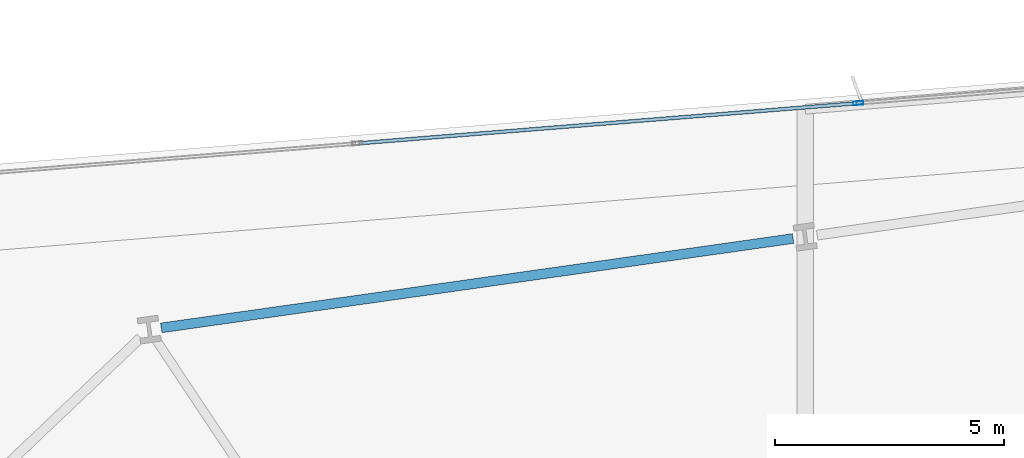
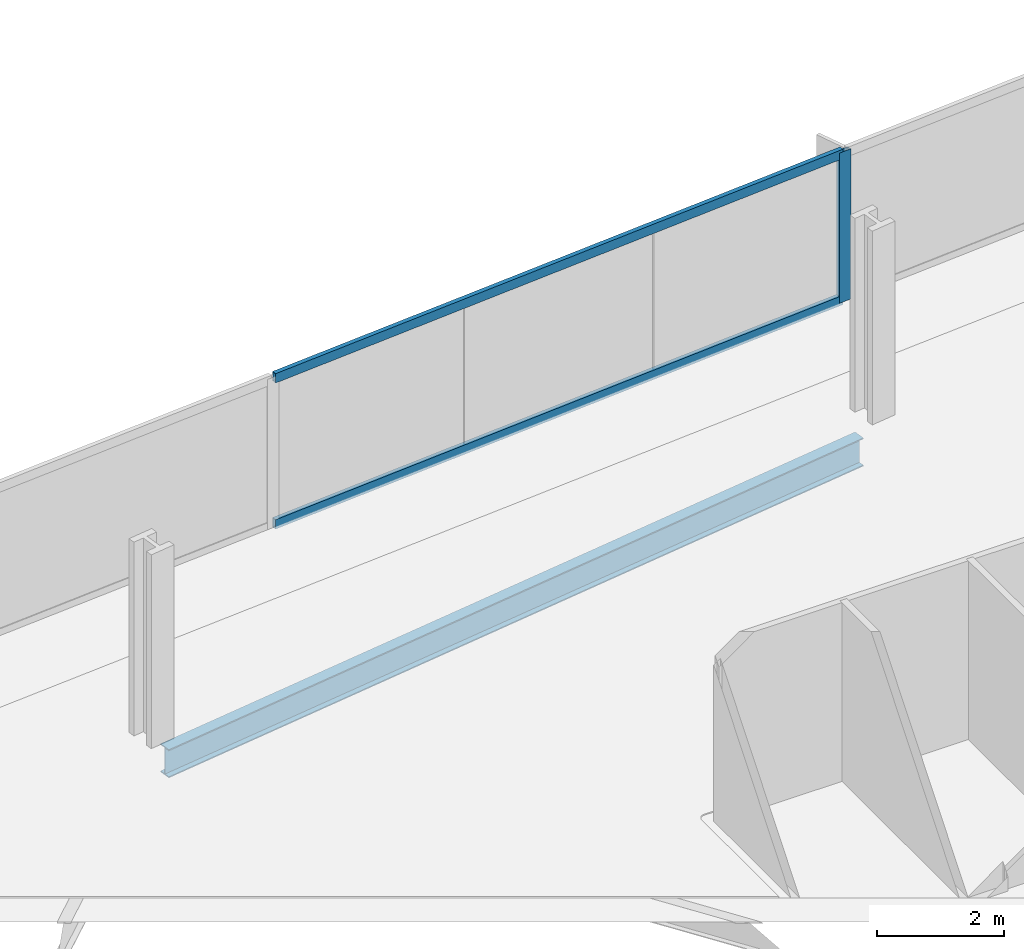
# One storey, part 19 of 33: 3 members, 1 beam, 1 element without a shape of its own.
"""IFC4 building model written with IfcOpenShell, lengths in metres."""

from ifc_helpers import new_model, si_unit, direction, frame, origin, origin_2d, place, context, subcontext, project, spatial, hollow_rectangle, i_section, extrude, material, material_profile, profile_set, type_object, element, aggregate, save


model = new_model("IFC4")

# Units and contexts
model_context = context("Model", 3, precision=1e-05, world=origin(), true_north=direction((0.0, 1.0)))
body_context = subcontext(model_context, "Body", "Model", "MODEL_VIEW")
ifc_project = project(units=[si_unit("LENGTHUNIT", "METRE"), si_unit("AREAUNIT", "SQUARE_METRE"), si_unit("VOLUMEUNIT", "CUBIC_METRE"), si_unit("PLANEANGLEUNIT", "RADIAN"), si_unit("MASSUNIT", "GRAM", prefix="KILO")], contexts=[model_context])

# Site, building, storey
site_placement = place(None, origin())
site = spatial("IfcSite", under=ifc_project, at=site_placement, CompositionType="ELEMENT")
building_placement = place(site_placement, origin())
building = spatial("IfcBuilding", under=site, at=building_placement, Name="Haldenkirk Collegiate Tower", CompositionType="ELEMENT")
storey_placement = place(building_placement, frame((0.0, 0.0, 43.949951171875)))
storey = spatial("IfcBuildingStorey", under=building, at=storey_placement, Name="L09", CompositionType="ELEMENT", Elevation=43.949951171875)

# Beam
ifc_material_1 = material(Name="Steel ASTM A992 Grade 50", Category="steel")
ifc_material_profile_1 = material_profile(ifc_material_1, i_section(OverallWidth=0.2119140625, OverallDepth=0.5439453125, WebThickness=0.01318359375, FlangeThickness=0.021240234375, at=origin_2d()), Name="W21X83")
ifc_profile_set_1 = profile_set([ifc_material_profile_1], Name="Steel ASTM A992 Grade 50")
beam_type = type_object("IfcBeamType", Name="BM-SPANDREL-W21X83", PredefinedType="SPANDREL", material=ifc_profile_set_1)
beam_placement = place(storey_placement, frame((32.51025390625, 48.785888671875, -0.58203125), z_axis=(-0.990146197746, -0.14003752029, 0.0), x_axis=(0.14003752029, -0.990146197746, 0.0)))
element("IfcBeam", 1, at=beam_placement, inside=storey, type_object=beam_type, Name="L09 perimeter spandrel beam 11", PredefinedType="SPANDREL", context=body_context, shape_type="SweptSolid", body=[
    extrude(i_section(OverallWidth=0.2119140625, OverallDepth=0.5439453125, WebThickness=0.01318359375, FlangeThickness=0.021240234375, at=origin_2d()), origin(), (0.0, 0.0, 1.0), 13.906982421875),
])

# Curtain wall, members
ifc_material_2 = material(Name="Anodised architectural bronze aluminium", Category="aluminium")
curtain_wall_type = type_object("IfcCurtainWallType", Name="CW-SYS1-CONVEX-LOW", PredefinedType="USERDEFINED", material=ifc_material_2)
curtain_wall_placement = place(storey_placement, origin())
curtain_wall = element("IfcCurtainWall", 2, at=curtain_wall_placement, inside=storey, type_object=curtain_wall_type, Name="L09 Lower tower convex bronze-framed unitised curtain wall", ObjectType="UNITISED CURTAIN WALL", PredefinedType="USERDEFINED")
ifc_material_profile_2 = material_profile(ifc_material_2, hollow_rectangle(XDim=0.080078125, YDim=0.219970703125, WallThickness=0.0048828125, at=origin_2d()), Name="CW-MUL-1A")
ifc_profile_set_2 = profile_set([ifc_material_profile_2], Name="Anodised architectural bronze aluminium")
member_type_1 = type_object("IfcMemberType", Name="CW-MUL-1A", PredefinedType="MULLION", material=ifc_profile_set_2)
member_1_placement = place(storey_placement, frame((33.92919921875, 51.73681640625, 0.0), z_axis=(0.0, 0.0, 1.0), x_axis=(-0.08019865918, 0.99677889979, 0.0)))
member_1 = element("IfcMember", 3, at=member_1_placement, type_object=member_type_1, Name="CW-1A mullion 3", PredefinedType="MULLION", context=body_context, shape_type="SweptSolid", body=[
    extrude(hollow_rectangle(XDim=0.080078125, YDim=0.219970703125, WallThickness=0.0048828125, at=origin_2d()), origin(), (0.0, 0.0, 1.0), 2.89111328125),
])
ifc_material_profile_3 = material_profile(ifc_material_2, hollow_rectangle(XDim=0.080078125, YDim=0.179931640625, WallThickness=0.0048828125, at=origin_2d()), Name="CW-TRN-1A")
ifc_profile_set_3 = profile_set([ifc_material_profile_3], Name="Anodised architectural bronze aluminium")
member_type_2 = type_object("IfcMemberType", Name="CW-TRN-1A", PredefinedType="USERDEFINED", material=ifc_profile_set_3)
member_2_placement = place(storey_placement, frame((23.054443359375, 50.86181640625, 0.0400390625), z_axis=(0.996778393691, 0.080204949163, 0.0), x_axis=(-0.080204949163, 0.996778393691, 0.0)))
member_2 = element("IfcMember", 4, at=member_2_placement, type_object=member_type_2, Name="CW-1A transom 2.1", ObjectType="TRANSOM", PredefinedType="USERDEFINED", context=body_context, shape_type="SweptSolid", body=[
    extrude(hollow_rectangle(XDim=0.080078125, YDim=0.179931640625, WallThickness=0.0048828125, at=origin_2d()), origin(), (0.0, 0.0, 1.0), 10.869873046875),
])
member_3_placement = place(storey_placement, frame((23.054443359375, 50.86181640625, 2.85107421875), z_axis=(0.996778393691, 0.080204949163, 0.0), x_axis=(-0.080204949163, 0.996778393691, 0.0)))
member_3 = element("IfcMember", 5, at=member_3_placement, type_object=member_type_2, Name="CW-1A transom 2.2", ObjectType="TRANSOM", PredefinedType="USERDEFINED", context=body_context, shape_type="SweptSolid", body=[
    extrude(hollow_rectangle(XDim=0.080078125, YDim=0.179931640625, WallThickness=0.0048828125, at=origin_2d()), origin(), (0.0, 0.0, 1.0), 10.869873046875),
])
aggregate(curtain_wall, [member_1, member_2, member_3])

save(model, "model.ifc")
